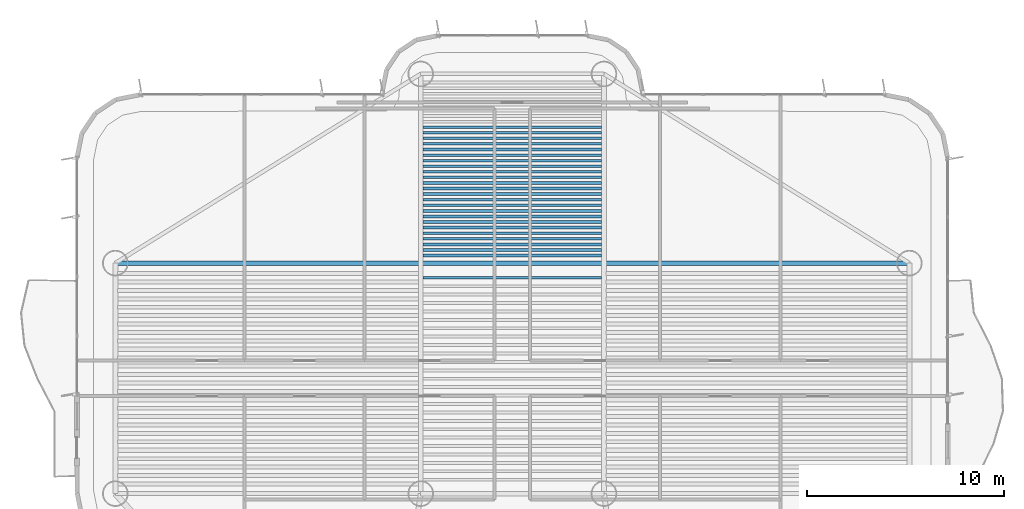
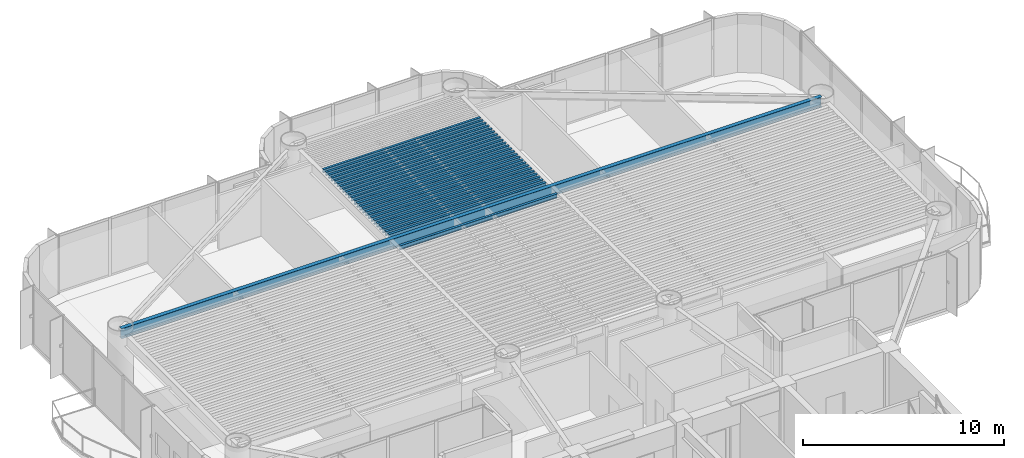
# One storey, part 6 of 16: 26 beams.
"""IFC4 building model written with IfcOpenShell, lengths in metres."""

from ifc_helpers import new_model, si_unit, direction, frame, origin, origin_2d, place, context, subcontext, project, spatial, i_section, extrude, source, transform, mapped, material, material_profile, profile_set, type_object, element, save


model = new_model("IFC4")

# Units and contexts
model_context = context("Model", 3, precision=1e-05, world=origin(), true_north=direction((0.0, 1.0)))
body_context = subcontext(model_context, "Body", "Model", "MODEL_VIEW")
ifc_project = project(units=[si_unit("LENGTHUNIT", "METRE"), si_unit("AREAUNIT", "SQUARE_METRE"), si_unit("VOLUMEUNIT", "CUBIC_METRE"), si_unit("PLANEANGLEUNIT", "RADIAN"), si_unit("MASSUNIT", "GRAM", prefix="KILO")], contexts=[model_context])

# Site, building, storey
site_placement = place(None, origin())
site = spatial("IfcSite", under=ifc_project, at=site_placement, CompositionType="ELEMENT")
building_placement = place(site_placement, origin())
building = spatial("IfcBuilding", under=site, at=building_placement, Name="Brelvock Crest Care Tower", CompositionType="ELEMENT")
storey_placement = place(building_placement, frame((0.0, 0.0, 116.280029296875)))
storey = spatial("IfcBuildingStorey", under=building, at=storey_placement, Name="L29", CompositionType="ELEMENT", Elevation=116.280029296875)

# Beams
ifc_material = material(Name="Steel Grade 350", Category="steel")
ifc_material_profile_1 = material_profile(ifc_material, i_section(OverallWidth=0.14599609375, OverallDepth=0.256103515625, WebThickness=0.00634765625, FlangeThickness=0.010986328125, FilletRadius=0.0087890625, at=origin_2d()), Name="250UB37.3")
ifc_profile_set_1 = profile_set([ifc_material_profile_1], Name="Steel Grade 350")
beam_type_1 = type_object("IfcBeamType", Name="BM-J3", PredefinedType="JOIST", material=ifc_profile_set_1)
shared_shape_1 = source(origin(), body_context, "Body", "SweptSolid", [
    extrude(i_section(OverallWidth=0.14599609375, OverallDepth=0.256103515625, WebThickness=0.00634765625, FlangeThickness=0.010986328125, FilletRadius=0.0087890625, at=origin_2d()), origin(), (0.0, 0.0, 1.0), 9.06982421875),
])
for number, where, z_axis, x_axis, name in (
    (1, (31.465087890625, 38.10400390625, 3.40185546875), (1.0, 0.0, 0.0), (0.0, 1.0, 0.0), "BM-JH-L29-25"),
    (2, (31.465087890625, 39.23388671875, 3.40185546875), (1.0, 0.0, 0.0), (0.0, 1.0, 0.0), "BM-JN-L29-1"),
    (3, (31.465087890625, 39.51708984375, 3.40185546875), (1.0, 0.0, 0.0), (0.0, 1.0, 0.0), "BM-JN-L29-2"),
    (4, (31.465087890625, 39.80029296875, 3.40185546875), (1.0, 0.0, 0.0), (0.0, 1.0, 0.0), "BM-JN-L29-3"),
    (5, (31.465087890625, 40.08349609375, 3.40185546875), (1.0, 0.0, 0.0), (0.0, 1.0, 0.0), "BM-JN-L29-4"),
    (6, (31.465087890625, 40.36669921875, 3.40185546875), (1.0, 0.0, 0.0), (0.0, 1.0, 0.0), "BM-JN-L29-5"),
    (7, (31.465087890625, 40.64990234375, 3.40185546875), (1.0, 0.0, 0.0), (0.0, 1.0, 0.0), "BM-JN-L29-6"),
    (8, (31.465087890625, 40.93310546875, 3.40185546875), (1.0, 0.0, 0.0), (0.0, 1.0, 0.0), "BM-JN-L29-7"),
    (9, (31.465087890625, 41.21630859375, 3.40185546875), (1.0, 0.0, 0.0), (0.0, 1.0, 0.0), "BM-JN-L29-8"),
    (10, (31.465087890625, 41.49951171875, 3.40185546875), (1.0, 0.0, 0.0), (0.0, 1.0, 0.0), "BM-JN-L29-9"),
    (11, (31.465087890625, 41.78271484375, 3.40185546875), (1.0, 0.0, 0.0), (0.0, 1.0, 0.0), "BM-JN-L29-10"),
    (12, (31.465087890625, 42.06591796875, 3.40185546875), (1.0, 0.0, 0.0), (0.0, 1.0, 0.0), "BM-JN-L29-11"),
    (13, (31.465087890625, 42.34912109375, 3.40185546875), (1.0, 0.0, 0.0), (0.0, 1.0, 0.0), "BM-JN-L29-12"),
    (14, (31.465087890625, 42.63232421875, 3.40185546875), (1.0, 0.0, 0.0), (0.0, 1.0, 0.0), "BM-JN-L29-13"),
):
    element("IfcBeam", number, at=place(storey_placement, frame(where, z_axis=z_axis, x_axis=x_axis)), inside=storey, type_object=beam_type_1, Name=name, PredefinedType="JOIST", context=body_context, shape_type="MappedRepresentation", body=[
        mapped(shared_shape_1, transform((0.0, 0.0, 0.0), x_axis=(1.0, 0.0, 0.0), y_axis=(0.0, 1.0, 0.0), z_axis=(0.0, 0.0, 1.0), scale=1.0)),
    ])
ifc_material_profile_2 = material_profile(ifc_material, i_section(OverallWidth=0.134033203125, OverallDepth=0.20703125, WebThickness=0.00634765625, FlangeThickness=0.009521484375, FilletRadius=0.0087890625, at=origin_2d()), Name="200UB29.8")
ifc_profile_set_2 = profile_set([ifc_material_profile_2], Name="Steel Grade 350")
beam_type_2 = type_object("IfcBeamType", Name="BM-J4", PredefinedType="JOIST", material=ifc_profile_set_2)
shared_shape_2 = source(origin(), body_context, "Body", "SweptSolid", [
    extrude(i_section(OverallWidth=0.134033203125, OverallDepth=0.20703125, WebThickness=0.00634765625, FlangeThickness=0.009521484375, FilletRadius=0.0087890625, at=origin_2d()), origin(), (0.0, 0.0, 1.0), 9.06982421875),
])
for number, where, z_axis, x_axis, name in (
    (15, (31.465087890625, 42.91552734375, 3.426513671875), (1.0, 0.0, 0.0), (0.0, 1.0, 0.0), "BM-JN-L29-14"),
    (16, (31.465087890625, 43.19873046875, 3.426513671875), (1.0, 0.0, 0.0), (0.0, 1.0, 0.0), "BM-JN-L29-15"),
    (17, (31.465087890625, 43.48193359375, 3.426513671875), (1.0, 0.0, 0.0), (0.0, 1.0, 0.0), "BM-JN-L29-16"),
    (18, (31.465087890625, 43.76513671875, 3.426513671875), (1.0, 0.0, 0.0), (0.0, 1.0, 0.0), "BM-JN-L29-17"),
    (19, (31.465087890625, 44.04833984375, 3.426513671875), (1.0, 0.0, 0.0), (0.0, 1.0, 0.0), "BM-JN-L29-18"),
    (20, (31.465087890625, 44.33154296875, 3.426513671875), (1.0, 0.0, 0.0), (0.0, 1.0, 0.0), "BM-JN-L29-19"),
    (21, (31.465087890625, 44.61474609375, 3.426513671875), (1.0, 0.0, 0.0), (0.0, 1.0, 0.0), "BM-JN-L29-20"),
    (22, (31.465087890625, 44.89794921875, 3.426513671875), (1.0, 0.0, 0.0), (0.0, 1.0, 0.0), "BM-JN-L29-21"),
    (23, (31.465087890625, 45.18115234375, 3.426513671875), (1.0, 0.0, 0.0), (0.0, 1.0, 0.0), "BM-JN-L29-22"),
    (24, (31.465087890625, 45.46435546875, 3.426513671875), (1.0, 0.0, 0.0), (0.0, 1.0, 0.0), "BM-JN-L29-23"),
    (25, (31.465087890625, 45.74755859375, 3.426513671875), (1.0, 0.0, 0.0), (0.0, 1.0, 0.0), "BM-JN-L29-24"),
):
    element("IfcBeam", number, at=place(storey_placement, frame(where, z_axis=z_axis, x_axis=x_axis)), inside=storey, type_object=beam_type_2, Name=name, PredefinedType="JOIST", context=body_context, shape_type="MappedRepresentation", body=[
        mapped(shared_shape_2, transform((0.0, 0.0, 0.0), x_axis=(1.0, 0.0, 0.0), y_axis=(0.0, 1.0, 0.0), z_axis=(0.0, 0.0, 1.0), scale=1.0)),
    ])
ifc_material_profile_3 = material_profile(ifc_material, i_section(OverallWidth=0.22900390625, OverallDepth=0.612060546875, WebThickness=0.011962890625, FlangeThickness=0.01953125, FilletRadius=0.013916015625, at=origin_2d()), Name="610UB125")
ifc_profile_set_3 = profile_set([ifc_material_profile_3], Name="Steel Grade 350")
beam_type_3 = type_object("IfcBeamType", Name="BM-G1", PredefinedType="BEAM", material=ifc_profile_set_3)
shared_shape_3 = source(origin(), body_context, "Body", "SweptSolid", [
    extrude(i_section(OverallWidth=0.22900390625, OverallDepth=0.612060546875, WebThickness=0.011962890625, FlangeThickness=0.01953125, FilletRadius=0.013916015625, at=origin_2d()), origin(), (0.0, 0.0, 1.0), 40.2998046875),
])
beam_placement = place(storey_placement, frame((15.85009765625, 38.85009765625, 3.223876953125), z_axis=(1.0, 0.0, 0.0), x_axis=(0.0, 1.0, 0.0)))
element("IfcBeam", 26, at=beam_placement, inside=storey, type_object=beam_type_3, Name="BM-TWR-L29-11", PredefinedType="BEAM", context=body_context, shape_type="MappedRepresentation", body=[
    mapped(shared_shape_3, transform((0.0, 0.0, 0.0), x_axis=(1.0, 0.0, 0.0), y_axis=(0.0, 1.0, 0.0), z_axis=(0.0, 0.0, 1.0), scale=1.0)),
])

save(model, "model.ifc")
